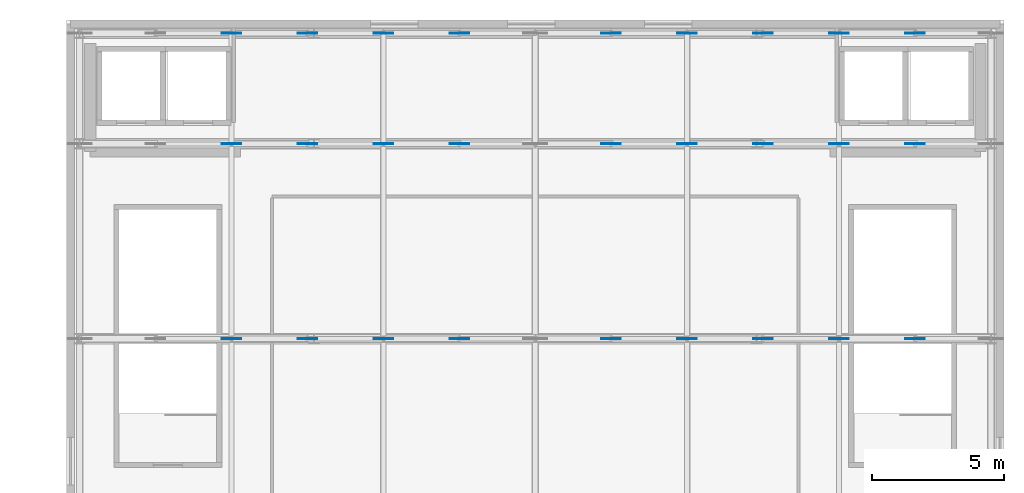
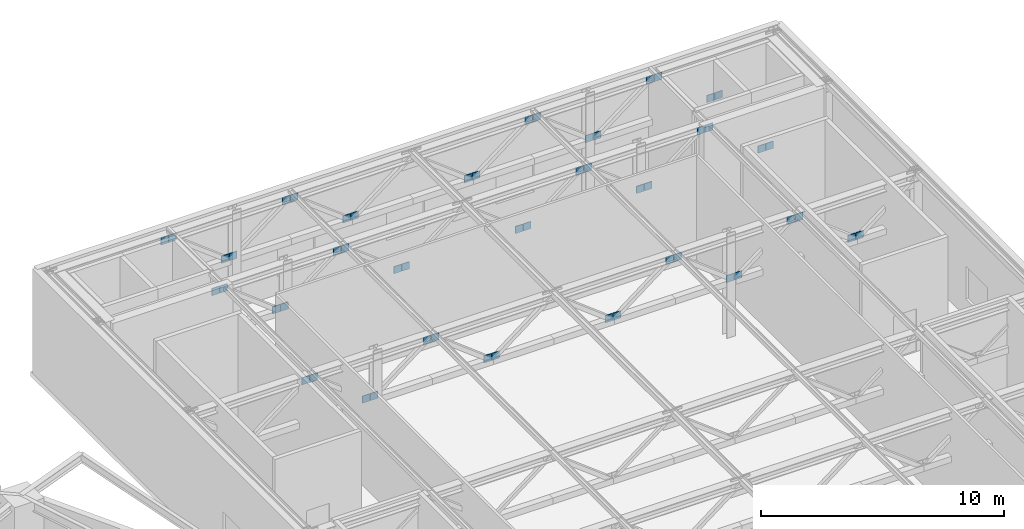
# One storey, part 20 of 29: 54 plates.
"""IFC4 building model written with IfcOpenShell, lengths in metres."""

from ifc_helpers import new_model, si_unit, direction, frame, origin, origin_2d, place, context, subcontext, project, spatial, rectangle, extrude, material, layer, layer_set, type_object, element, save


model = new_model("IFC4")

# Units and contexts
model_context = context("Model", 3, precision=1e-05, world=origin(), true_north=direction((0.0, 1.0)))
body_context = subcontext(model_context, "Body", "Model", "MODEL_VIEW")
ifc_project = project(units=[si_unit("LENGTHUNIT", "METRE"), si_unit("AREAUNIT", "SQUARE_METRE"), si_unit("VOLUMEUNIT", "CUBIC_METRE"), si_unit("PLANEANGLEUNIT", "RADIAN"), si_unit("MASSUNIT", "GRAM", prefix="KILO")], contexts=[model_context])

# Site, building, storey
site_placement = place(None, origin())
site = spatial("IfcSite", under=ifc_project, at=site_placement, CompositionType="ELEMENT")
building_placement = place(site_placement, origin())
building = spatial("IfcBuilding", under=site, at=building_placement, Name="Kolvaren Gate Tower and Convention Centre", CompositionType="ELEMENT")
storey_placement = place(building_placement, frame((0.0, 0.0, 21.0)))
storey = spatial("IfcBuildingStorey", under=building, at=storey_placement, Name="L04", CompositionType="ELEMENT", Elevation=21.0)

# Plates
ifc_material = material(Name="Structural steel plate ASTM A572 Grade 345 MPa", Category="steel")
ifc_layer = layer(ifc_material, 0.035888671875)
ifc_layer_set = layer_set([ifc_layer], Name="Structural steel plate ASTM A572 Grade 345 MPa")
plate_type = type_object("IfcPlateType", Name="STR-PL-END-36", PredefinedType="USERDEFINED", material=ifc_layer_set)
for number, where, z_axis, x_axis, name in (
    (1, (68.276611328125, 39.699951171875, 4.59375), (0.0, 0.0, 1.0), (1.0, 0.0, 0.0), "Structural Brace End Connection Gusset Plate EGP-151"),
    (2, (68.656982421875, 39.699951171875, 4.59375), (0.0, 0.0, 1.0), (1.0, 0.0, 0.0), "Structural Brace End Connection Gusset Plate EGP-152"),
    (3, (71.159912109375, 39.699951171875, 2.66650390625), (0.0, 0.0, 1.0), (1.0, 0.0, 0.0), "Structural Brace End Connection Gusset Plate EGP-153"),
    (4, (71.540283203125, 39.699951171875, 2.66650390625), (0.0, 0.0, 1.0), (1.0, 0.0, 0.0), "Structural Brace End Connection Gusset Plate EGP-154"),
    (5, (74.043212890625, 39.699951171875, 4.59375), (0.0, 0.0, 1.0), (1.0, 0.0, 0.0), "Structural Brace End Connection Gusset Plate EGP-155"),
    (6, (74.423583984375, 39.699951171875, 4.59375), (0.0, 0.0, 1.0), (1.0, 0.0, 0.0), "Structural Brace End Connection Gusset Plate EGP-156"),
    (7, (76.926513671875, 39.699951171875, 2.66650390625), (0.0, 0.0, 1.0), (1.0, 0.0, 0.0), "Structural Brace End Connection Gusset Plate EGP-157"),
    (8, (77.306884765625, 39.699951171875, 2.66650390625), (0.0, 0.0, 1.0), (1.0, 0.0, 0.0), "Structural Brace End Connection Gusset Plate EGP-158"),
    (9, (82.693115234375, 39.699951171875, 2.66650390625), (0.0, 0.0, 1.0), (1.0, 0.0, 0.0), "Structural Brace End Connection Gusset Plate EGP-159"),
    (10, (83.073486328125, 39.699951171875, 2.66650390625), (0.0, 0.0, 1.0), (1.0, 0.0, 0.0), "Structural Brace End Connection Gusset Plate EGP-160"),
    (11, (85.576416015625, 39.699951171875, 4.59375), (0.0, 0.0, 1.0), (1.0, 0.0, 0.0), "Structural Brace End Connection Gusset Plate EGP-161"),
    (12, (85.956787109375, 39.699951171875, 4.59375), (0.0, 0.0, 1.0), (1.0, 0.0, 0.0), "Structural Brace End Connection Gusset Plate EGP-162"),
    (13, (88.459716796875, 39.699951171875, 2.66650390625), (0.0, 0.0, 1.0), (1.0, 0.0, 0.0), "Structural Brace End Connection Gusset Plate EGP-163"),
    (14, (88.840087890625, 39.699951171875, 2.66650390625), (0.0, 0.0, 1.0), (1.0, 0.0, 0.0), "Structural Brace End Connection Gusset Plate EGP-164"),
    (15, (91.343017578125, 39.699951171875, 4.59375), (0.0, 0.0, 1.0), (1.0, 0.0, 0.0), "Structural Brace End Connection Gusset Plate EGP-165"),
    (16, (91.723388671875, 39.699951171875, 4.59375), (0.0, 0.0, 1.0), (1.0, 0.0, 0.0), "Structural Brace End Connection Gusset Plate EGP-166"),
    (17, (94.2265625, 39.699951171875, 2.66650390625), (0.0, 0.0, 1.0), (1.0, 0.0, 0.0), "Structural Brace End Connection Gusset Plate EGP-167"),
    (18, (94.60693359375, 39.699951171875, 2.66650390625), (0.0, 0.0, 1.0), (1.0, 0.0, 0.0), "Structural Brace End Connection Gusset Plate EGP-168"),
    (19, (68.276611328125, 47.10009765625, 4.59375), (0.0, 0.0, 1.0), (1.0, 0.0, 0.0), "Structural Brace End Connection Gusset Plate EGP-171"),
    (20, (68.656982421875, 47.10009765625, 4.59375), (0.0, 0.0, 1.0), (1.0, 0.0, 0.0), "Structural Brace End Connection Gusset Plate EGP-172"),
    (21, (71.159912109375, 47.10009765625, 2.66650390625), (0.0, 0.0, 1.0), (1.0, 0.0, 0.0), "Structural Brace End Connection Gusset Plate EGP-173"),
    (22, (71.540283203125, 47.10009765625, 2.66650390625), (0.0, 0.0, 1.0), (1.0, 0.0, 0.0), "Structural Brace End Connection Gusset Plate EGP-174"),
    (23, (74.043212890625, 47.10009765625, 4.59375), (0.0, 0.0, 1.0), (1.0, 0.0, 0.0), "Structural Brace End Connection Gusset Plate EGP-175"),
    (24, (74.423583984375, 47.10009765625, 4.59375), (0.0, 0.0, 1.0), (1.0, 0.0, 0.0), "Structural Brace End Connection Gusset Plate EGP-176"),
    (25, (76.926513671875, 47.10009765625, 2.66650390625), (0.0, 0.0, 1.0), (1.0, 0.0, 0.0), "Structural Brace End Connection Gusset Plate EGP-177"),
    (26, (77.306884765625, 47.10009765625, 2.66650390625), (0.0, 0.0, 1.0), (1.0, 0.0, 0.0), "Structural Brace End Connection Gusset Plate EGP-178"),
    (27, (82.693115234375, 47.10009765625, 2.66650390625), (0.0, 0.0, 1.0), (1.0, 0.0, 0.0), "Structural Brace End Connection Gusset Plate EGP-179"),
    (28, (83.073486328125, 47.10009765625, 2.66650390625), (0.0, 0.0, 1.0), (1.0, 0.0, 0.0), "Structural Brace End Connection Gusset Plate EGP-180"),
    (29, (85.576416015625, 47.10009765625, 4.59375), (0.0, 0.0, 1.0), (1.0, 0.0, 0.0), "Structural Brace End Connection Gusset Plate EGP-181"),
    (30, (85.956787109375, 47.10009765625, 4.59375), (0.0, 0.0, 1.0), (1.0, 0.0, 0.0), "Structural Brace End Connection Gusset Plate EGP-182"),
    (31, (88.459716796875, 47.10009765625, 2.66650390625), (0.0, 0.0, 1.0), (1.0, 0.0, 0.0), "Structural Brace End Connection Gusset Plate EGP-183"),
    (32, (88.840087890625, 47.10009765625, 2.66650390625), (0.0, 0.0, 1.0), (1.0, 0.0, 0.0), "Structural Brace End Connection Gusset Plate EGP-184"),
    (33, (91.343017578125, 47.10009765625, 4.59375), (0.0, 0.0, 1.0), (1.0, 0.0, 0.0), "Structural Brace End Connection Gusset Plate EGP-185"),
    (34, (91.723388671875, 47.10009765625, 4.59375), (0.0, 0.0, 1.0), (1.0, 0.0, 0.0), "Structural Brace End Connection Gusset Plate EGP-186"),
    (35, (94.2265625, 47.10009765625, 2.66650390625), (0.0, 0.0, 1.0), (1.0, 0.0, 0.0), "Structural Brace End Connection Gusset Plate EGP-187"),
    (36, (94.60693359375, 47.10009765625, 2.66650390625), (0.0, 0.0, 1.0), (1.0, 0.0, 0.0), "Structural Brace End Connection Gusset Plate EGP-188"),
    (37, (68.276611328125, 51.300048828125, 4.59375), (0.0, 0.0, 1.0), (1.0, 0.0, 0.0), "Structural Brace End Connection Gusset Plate EGP-191"),
    (38, (68.656982421875, 51.300048828125, 4.59375), (0.0, 0.0, 1.0), (1.0, 0.0, 0.0), "Structural Brace End Connection Gusset Plate EGP-192"),
    (39, (71.159912109375, 51.300048828125, 2.66650390625), (0.0, 0.0, 1.0), (1.0, 0.0, 0.0), "Structural Brace End Connection Gusset Plate EGP-193"),
    (40, (71.540283203125, 51.300048828125, 2.66650390625), (0.0, 0.0, 1.0), (1.0, 0.0, 0.0), "Structural Brace End Connection Gusset Plate EGP-194"),
    (41, (74.043212890625, 51.300048828125, 4.59375), (0.0, 0.0, 1.0), (1.0, 0.0, 0.0), "Structural Brace End Connection Gusset Plate EGP-195"),
    (42, (74.423583984375, 51.300048828125, 4.59375), (0.0, 0.0, 1.0), (1.0, 0.0, 0.0), "Structural Brace End Connection Gusset Plate EGP-196"),
    (43, (76.926513671875, 51.300048828125, 2.66650390625), (0.0, 0.0, 1.0), (1.0, 0.0, 0.0), "Structural Brace End Connection Gusset Plate EGP-197"),
    (44, (77.306884765625, 51.300048828125, 2.66650390625), (0.0, 0.0, 1.0), (1.0, 0.0, 0.0), "Structural Brace End Connection Gusset Plate EGP-198"),
    (45, (82.693115234375, 51.300048828125, 2.66650390625), (0.0, 0.0, 1.0), (1.0, 0.0, 0.0), "Structural Brace End Connection Gusset Plate EGP-199"),
    (46, (83.073486328125, 51.300048828125, 2.66650390625), (0.0, 0.0, 1.0), (1.0, 0.0, 0.0), "Structural Brace End Connection Gusset Plate EGP-200"),
    (47, (85.576416015625, 51.300048828125, 4.59375), (0.0, 0.0, 1.0), (1.0, 0.0, 0.0), "Structural Brace End Connection Gusset Plate EGP-201"),
    (48, (85.956787109375, 51.300048828125, 4.59375), (0.0, 0.0, 1.0), (1.0, 0.0, 0.0), "Structural Brace End Connection Gusset Plate EGP-202"),
    (49, (88.459716796875, 51.300048828125, 2.66650390625), (0.0, 0.0, 1.0), (1.0, 0.0, 0.0), "Structural Brace End Connection Gusset Plate EGP-203"),
    (50, (88.840087890625, 51.300048828125, 2.66650390625), (0.0, 0.0, 1.0), (1.0, 0.0, 0.0), "Structural Brace End Connection Gusset Plate EGP-204"),
    (51, (91.343017578125, 51.300048828125, 4.59375), (0.0, 0.0, 1.0), (1.0, 0.0, 0.0), "Structural Brace End Connection Gusset Plate EGP-205"),
    (52, (91.723388671875, 51.300048828125, 4.59375), (0.0, 0.0, 1.0), (1.0, 0.0, 0.0), "Structural Brace End Connection Gusset Plate EGP-206"),
    (53, (94.2265625, 51.300048828125, 2.66650390625), (0.0, 0.0, 1.0), (1.0, 0.0, 0.0), "Structural Brace End Connection Gusset Plate EGP-207"),
    (54, (94.60693359375, 51.300048828125, 2.66650390625), (0.0, 0.0, 1.0), (1.0, 0.0, 0.0), "Structural Brace End Connection Gusset Plate EGP-208"),
):
    element("IfcPlate", number, at=place(storey_placement, frame(where, z_axis=z_axis, x_axis=x_axis)), inside=storey, type_object=plate_type, Name=name, ObjectType="GUSSET PLATE", PredefinedType="USERDEFINED", context=body_context, shape_type="SweptSolid", body=[
        extrude(rectangle(XDim=0.360107421875, YDim=0.035888671875, at=origin_2d()), origin(), (0.0, 0.0, 1.0), 0.360107421875),
    ])

save(model, "model.ifc")
